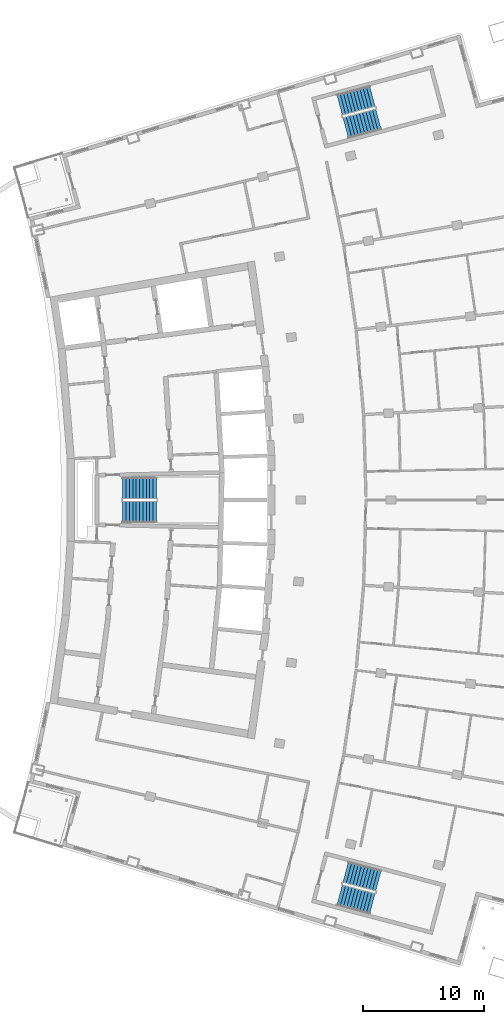
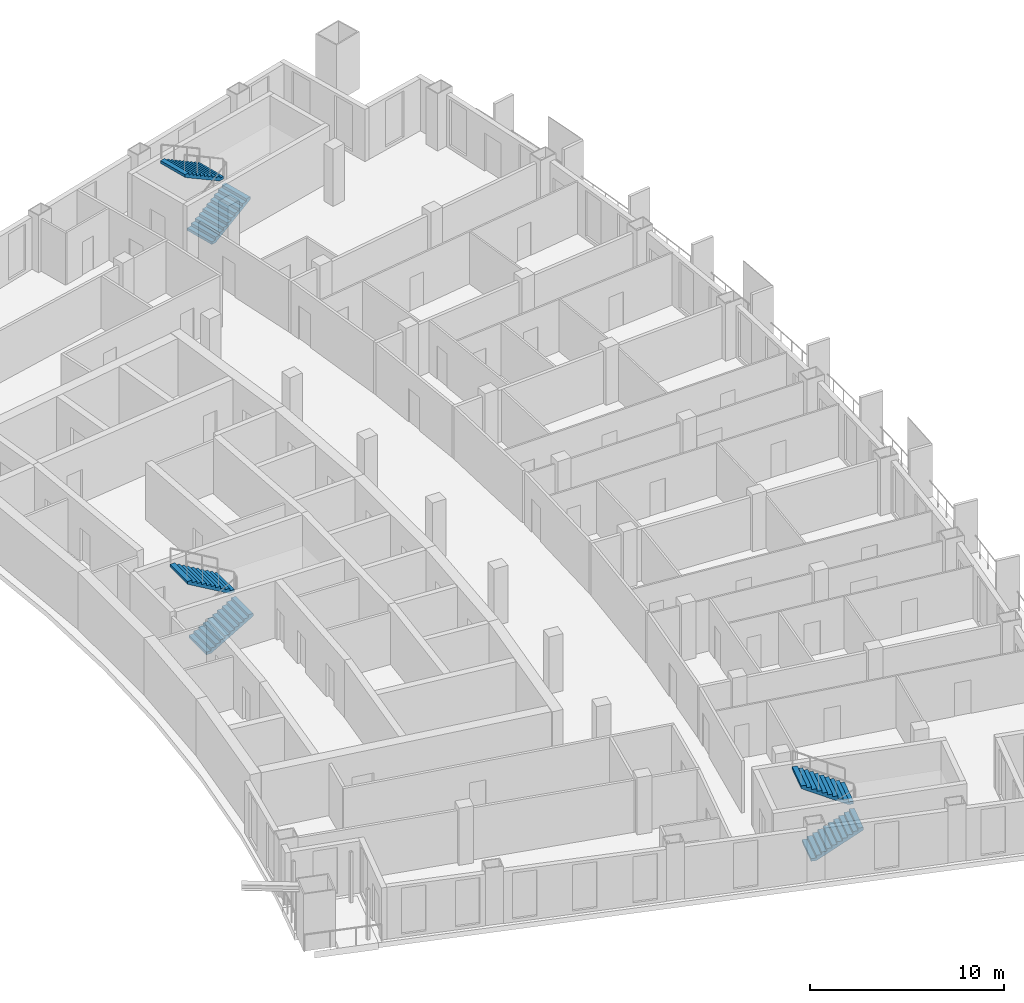
# One storey, part 16 of 19: 6 stair flights, 3 elements without a shape of their own.
"""IFC4 building model written with IfcOpenShell, lengths in metres."""

from ifc_helpers import new_model, si_unit, direction, frame, origin, place, context, subcontext, project, spatial, polyline, outline, extrude, material, layer, layer_set, type_object, element, aggregate, save


model = new_model("IFC4")

# Units and contexts
model_context = context("Model", 3, precision=1e-05, world=origin(), true_north=direction((0.0, 1.0)))
body_context = subcontext(model_context, "Body", "Model", "MODEL_VIEW")
ifc_project = project(units=[si_unit("LENGTHUNIT", "METRE"), si_unit("AREAUNIT", "SQUARE_METRE"), si_unit("VOLUMEUNIT", "CUBIC_METRE"), si_unit("PLANEANGLEUNIT", "RADIAN"), si_unit("MASSUNIT", "GRAM", prefix="KILO")], contexts=[model_context])

# Site, building, storey
site_placement = place(None, origin())
site = spatial("IfcSite", under=ifc_project, at=site_placement, CompositionType="ELEMENT")
building_placement = place(site_placement, origin())
building = spatial("IfcBuilding", under=site, at=building_placement, Name="Alderwake Tower", CompositionType="ELEMENT")
storey_placement = place(building_placement, frame((0.0, 0.0, 203.60009765625)))
storey = spatial("IfcBuildingStorey", under=building, at=storey_placement, Name="L50", CompositionType="ELEMENT", Elevation=203.60009765625)

# Stair, stair flights
ifc_material_1 = material(Name="Concrete C40/50", Category="concrete")
stair_type = type_object("IfcStairType", Name="Core exit stair", PredefinedType="HALF_TURN_STAIR", material=ifc_material_1)
stair_1_placement = place(storey_placement, origin())
stair_1 = element("IfcStair", 1, at=stair_1_placement, inside=storey, type_object=stair_type, Name="L50 Exit Stair B", PredefinedType="HALF_TURN_STAIR")
ifc_material_2 = material(Name="Concrete C40/50", Category="concrete")
ifc_layer = layer(ifc_material_2, 0.14990234375)
ifc_layer_set = layer_set([ifc_layer], Name="Core stair flight")
stair_flight_type = type_object("IfcStairFlightType", Name="Core stair flight", PredefinedType="STRAIGHT", material=ifc_layer_set)
stair_flight_1_placement = place(storey_placement, frame((21.0400390625, 60.02490234375, 0.0), z_axis=(0.0, 0.0, 1.0), x_axis=(1.0, 0.0, 0.0)))
stair_flight_1 = element("IfcStairFlight", 2, at=stair_flight_1_placement, type_object=stair_flight_type, Name="ST-B flight 1", NumberOfRisers=11, NumberOfTreads=10, PredefinedType="STRAIGHT", RiserHeight=0.163636364, TreadLength=0.28, context=body_context, shape_type="SweptSolid", body=[
    extrude(outline(polyline([(0.0, 0.0), (0.0, 0.16357421875), (0.280029296875, 0.16357421875), (0.280029296875, 0.327392578125), (0.56005859375, 0.327392578125), (0.56005859375, 0.490966796875), (0.840087890625, 0.490966796875), (0.840087890625, 0.654541015625), (1.1201171875, 0.654541015625), (1.1201171875, 0.818115234375), (1.39990234375, 0.818115234375), (1.39990234375, 0.98193359375), (1.679931640625, 0.98193359375), (1.679931640625, 1.1455078125), (1.9599609375, 1.1455078125), (1.9599609375, 1.30908203125), (2.239990234375, 1.30908203125), (2.239990234375, 1.47265625), (2.52001953125, 1.47265625), (2.52001953125, 1.636474609375), (2.800048828125, 1.636474609375), (2.800048828125, 1.800048828125), (2.800048828125, 1.462646484375), (0.297119140625, 0.0), (0.0, 0.0)])), frame((0.0, 0.89990234375, 0.0), z_axis=(0.0, -1.0, 0.0), x_axis=(1.0, 0.0, 0.0)), (0.0, 0.0, 1.0), 1.800048828125),
])
stair_flight_2_placement = place(storey_placement, frame((23.840087890625, 61.97509765625, 1.7998046875), z_axis=(0.0, 0.0, 1.0), x_axis=(-1.0, 0.0, 0.0)))
stair_flight_2 = element("IfcStairFlight", 3, at=stair_flight_2_placement, type_object=stair_flight_type, Name="ST-B flight 2", NumberOfRisers=11, NumberOfTreads=10, PredefinedType="STRAIGHT", RiserHeight=0.163636364, TreadLength=0.28, context=body_context, shape_type="SweptSolid", body=[
    extrude(outline(polyline([(0.0, 0.0), (0.0, 0.16357421875), (0.280029296875, 0.16357421875), (0.280029296875, 0.327392578125), (0.56005859375, 0.327392578125), (0.56005859375, 0.490966796875), (0.840087890625, 0.490966796875), (0.840087890625, 0.654541015625), (1.1201171875, 0.654541015625), (1.1201171875, 0.818115234375), (1.39990234375, 0.818115234375), (1.39990234375, 0.98193359375), (1.679931640625, 0.98193359375), (1.679931640625, 1.1455078125), (1.9599609375, 1.1455078125), (1.9599609375, 1.30908203125), (2.239990234375, 1.30908203125), (2.239990234375, 1.47265625), (2.52001953125, 1.47265625), (2.52001953125, 1.636474609375), (2.800048828125, 1.636474609375), (2.800048828125, 1.800048828125), (2.800048828125, 1.462646484375), (0.297119140625, 0.0), (0.0, 0.0)])), frame((0.0, 0.89990234375, 0.0), z_axis=(0.0, -1.0, 0.0), x_axis=(1.0, 0.0, 0.0)), (0.0, 0.0, 1.0), 1.800048828125),
])
aggregate(stair_1, [stair_flight_1, stair_flight_2])

stair_2_placement = place(storey_placement, origin())
stair_2 = element("IfcStair", 4, at=stair_2_placement, inside=storey, type_object=stair_type, Name="L50 Exit Stair A", PredefinedType="HALF_TURN_STAIR")
stair_flight_3_placement = place(storey_placement, frame((39.512939453125, 91.823974609375, 0.0), z_axis=(0.0, 0.0, 1.0), x_axis=(0.966309627437, 0.257382407951, 0.0)))
stair_flight_3 = element("IfcStairFlight", 5, at=stair_flight_3_placement, type_object=stair_flight_type, Name="ST-A flight 1", NumberOfRisers=11, NumberOfTreads=10, PredefinedType="STRAIGHT", RiserHeight=0.163636364, TreadLength=0.28, context=body_context, shape_type="SweptSolid", body=[
    extrude(outline(polyline([(0.0, 0.0), (0.0, 0.16357421875), (0.280029296875, 0.16357421875), (0.280029296875, 0.327392578125), (0.56005859375, 0.327392578125), (0.56005859375, 0.490966796875), (0.840087890625, 0.490966796875), (0.840087890625, 0.654541015625), (1.1201171875, 0.654541015625), (1.1201171875, 0.818115234375), (1.39990234375, 0.818115234375), (1.39990234375, 0.98193359375), (1.679931640625, 0.98193359375), (1.679931640625, 1.1455078125), (1.9599609375, 1.1455078125), (1.9599609375, 1.30908203125), (2.239990234375, 1.30908203125), (2.239990234375, 1.47265625), (2.52001953125, 1.47265625), (2.52001953125, 1.636474609375), (2.800048828125, 1.636474609375), (2.800048828125, 1.800048828125), (2.800048828125, 1.462646484375), (0.297119140625, 0.0), (0.0, 0.0)])), frame((0.0, 0.89990234375, 0.0), z_axis=(0.0, -1.0, 0.0), x_axis=(1.0, 0.0, 0.0)), (0.0, 0.0, 1.0), 1.800048828125),
])
stair_flight_4_placement = place(storey_placement, frame((41.716796875, 94.428955078125, 1.7998046875), z_axis=(0.0, 0.0, 1.0), x_axis=(-0.966309627437, -0.257382407951, 0.0)))
stair_flight_4 = element("IfcStairFlight", 6, at=stair_flight_4_placement, type_object=stair_flight_type, Name="ST-A flight 2", NumberOfRisers=11, NumberOfTreads=10, PredefinedType="STRAIGHT", RiserHeight=0.163636364, TreadLength=0.28, context=body_context, shape_type="SweptSolid", body=[
    extrude(outline(polyline([(0.0, 0.0), (0.0, 0.16357421875), (0.280029296875, 0.16357421875), (0.280029296875, 0.327392578125), (0.56005859375, 0.327392578125), (0.56005859375, 0.490966796875), (0.840087890625, 0.490966796875), (0.840087890625, 0.654541015625), (1.1201171875, 0.654541015625), (1.1201171875, 0.818115234375), (1.39990234375, 0.818115234375), (1.39990234375, 0.98193359375), (1.679931640625, 0.98193359375), (1.679931640625, 1.1455078125), (1.9599609375, 1.1455078125), (1.9599609375, 1.30908203125), (2.239990234375, 1.30908203125), (2.239990234375, 1.47265625), (2.52001953125, 1.47265625), (2.52001953125, 1.636474609375), (2.800048828125, 1.636474609375), (2.800048828125, 1.800048828125), (2.800048828125, 1.462646484375), (0.297119140625, 0.0), (0.0, 0.0)])), frame((0.0, 0.89990234375, 0.0), z_axis=(0.0, -1.0, 0.0), x_axis=(1.0, 0.0, 0.0)), (0.0, 0.0, 1.0), 1.800048828125),
])
aggregate(stair_2, [stair_flight_3, stair_flight_4])

stair_3_placement = place(storey_placement, origin())
stair_3 = element("IfcStair", 7, at=stair_3_placement, inside=storey, type_object=stair_type, Name="L50 Exit Stair C", PredefinedType="HALF_TURN_STAIR")
stair_flight_5_placement = place(storey_placement, frame((39.010986328125, 28.291748046875, 0.0), z_axis=(0.0, 0.0, 1.0), x_axis=(0.966309627437, -0.257382407951, 0.0)))
stair_flight_5 = element("IfcStairFlight", 8, at=stair_flight_5_placement, type_object=stair_flight_type, Name="ST-C flight 1", NumberOfRisers=11, NumberOfTreads=10, PredefinedType="STRAIGHT", RiserHeight=0.163636364, TreadLength=0.28, context=body_context, shape_type="SweptSolid", body=[
    extrude(outline(polyline([(0.0, 0.0), (0.0, 0.16357421875), (0.280029296875, 0.16357421875), (0.280029296875, 0.327392578125), (0.56005859375, 0.327392578125), (0.56005859375, 0.490966796875), (0.840087890625, 0.490966796875), (0.840087890625, 0.654541015625), (1.1201171875, 0.654541015625), (1.1201171875, 0.818115234375), (1.39990234375, 0.818115234375), (1.39990234375, 0.98193359375), (1.679931640625, 0.98193359375), (1.679931640625, 1.1455078125), (1.9599609375, 1.1455078125), (1.9599609375, 1.30908203125), (2.239990234375, 1.30908203125), (2.239990234375, 1.47265625), (2.52001953125, 1.47265625), (2.52001953125, 1.636474609375), (2.800048828125, 1.636474609375), (2.800048828125, 1.800048828125), (2.800048828125, 1.462646484375), (0.297119140625, 0.0), (0.0, 0.0)])), frame((0.0, 0.89990234375, 0.0), z_axis=(0.0, -1.0, 0.0), x_axis=(1.0, 0.0, 0.0)), (0.0, 0.0, 1.0), 1.800048828125),
])
stair_flight_6_placement = place(storey_placement, frame((42.218505859375, 29.455322265625, 1.7998046875), z_axis=(0.0, 0.0, 1.0), x_axis=(-0.966309627437, 0.257382407951, 0.0)))
stair_flight_6 = element("IfcStairFlight", 9, at=stair_flight_6_placement, type_object=stair_flight_type, Name="ST-C flight 2", NumberOfRisers=11, NumberOfTreads=10, PredefinedType="STRAIGHT", RiserHeight=0.163636364, TreadLength=0.28, context=body_context, shape_type="SweptSolid", body=[
    extrude(outline(polyline([(0.0, 0.0), (0.0, 0.16357421875), (0.280029296875, 0.16357421875), (0.280029296875, 0.327392578125), (0.56005859375, 0.327392578125), (0.56005859375, 0.490966796875), (0.840087890625, 0.490966796875), (0.840087890625, 0.654541015625), (1.1201171875, 0.654541015625), (1.1201171875, 0.818115234375), (1.39990234375, 0.818115234375), (1.39990234375, 0.98193359375), (1.679931640625, 0.98193359375), (1.679931640625, 1.1455078125), (1.9599609375, 1.1455078125), (1.9599609375, 1.30908203125), (2.239990234375, 1.30908203125), (2.239990234375, 1.47265625), (2.52001953125, 1.47265625), (2.52001953125, 1.636474609375), (2.800048828125, 1.636474609375), (2.800048828125, 1.800048828125), (2.800048828125, 1.462646484375), (0.297119140625, 0.0), (0.0, 0.0)])), frame((0.0, 0.89990234375, 0.0), z_axis=(0.0, -1.0, 0.0), x_axis=(1.0, 0.0, 0.0)), (0.0, 0.0, 1.0), 1.800048828125),
])
aggregate(stair_3, [stair_flight_5, stair_flight_6])

save(model, "model.ifc")
